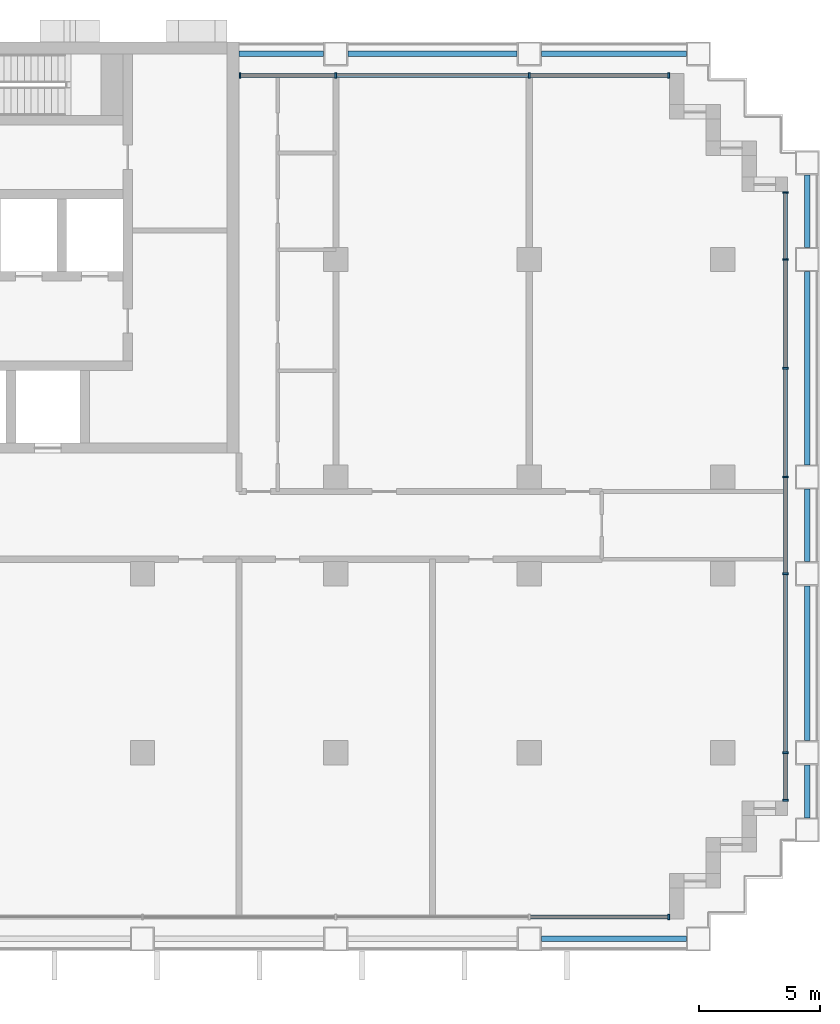
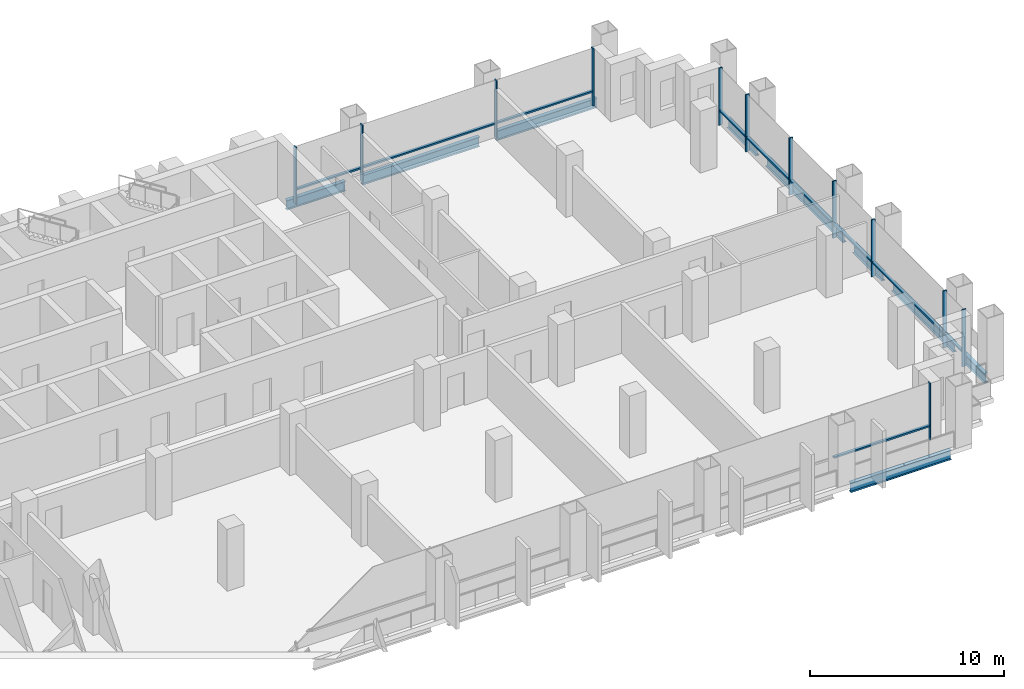
# One storey, part 5 of 13: 22 members, 9 beams, 3 elements without a shape of their own.
"""IFC4 building model written with IfcOpenShell, lengths in metres."""

from ifc_helpers import new_model, si_unit, direction, frame, origin, origin_2d, place, context, subcontext, project, spatial, rectangle, i_section, extrude, material, material_profile, profile_set, type_object, element, aggregate, save


model = new_model("IFC4")

# Units and contexts
model_context = context("Model", 3, precision=1e-05, world=origin(), true_north=direction((0.0, 1.0)))
body_context = subcontext(model_context, "Body", "Model", "MODEL_VIEW")
ifc_project = project(units=[si_unit("LENGTHUNIT", "METRE"), si_unit("AREAUNIT", "SQUARE_METRE"), si_unit("VOLUMEUNIT", "CUBIC_METRE"), si_unit("PLANEANGLEUNIT", "RADIAN"), si_unit("MASSUNIT", "GRAM", prefix="KILO")], contexts=[model_context])

# Site, building, storey
site_placement = place(None, origin())
site = spatial("IfcSite", under=ifc_project, at=site_placement, CompositionType="ELEMENT")
building_placement = place(site_placement, origin())
building = spatial("IfcBuilding", under=site, at=building_placement, Name="Vidyagriha Tower", CompositionType="ELEMENT")
storey_placement = place(building_placement, frame((0.0, 0.0, 29.89990234375)))
storey = spatial("IfcBuildingStorey", under=building, at=storey_placement, Name="L07", CompositionType="ELEMENT", Elevation=29.89990234375)

# Beams
ifc_material_1 = material(Name="Steel ASTM A992 Grade 50", Category="steel")
ifc_material_profile_1 = material_profile(ifc_material_1, i_section(OverallWidth=0.228271484375, OverallDepth=0.607177734375, WebThickness=0.01123046875, FlangeThickness=0.017333984375, at=origin_2d()), Name="W24X76")
ifc_profile_set_1 = profile_set([ifc_material_profile_1], Name="Steel ASTM A992 Grade 50")
beam_type = type_object("IfcBeamType", Name="Edge beam W24X76", PredefinedType="SPANDREL", material=ifc_profile_set_1)
beam_1_placement = place(storey_placement, frame((26.5, -17.10009765625, -0.603515625), z_axis=(1.0, 0.0, 0.0), x_axis=(0.0, 1.0, 0.0)))
element("IfcBeam", 1, at=beam_1_placement, inside=storey, type_object=beam_type, Name="st-beam-L07-S09", PredefinedType="SPANDREL", context=body_context, shape_type="SweptSolid", body=[
    extrude(i_section(OverallWidth=0.228271484375, OverallDepth=0.607177734375, WebThickness=0.01123046875, FlangeThickness=0.017333984375, at=origin_2d()), origin(), (0.0, 0.0, 1.0), 6.0),
])
beam_2_placement = place(storey_placement, frame((37.5, -12.10009765625, -0.603515625), z_axis=(0.0, 1.0, 0.0), x_axis=(-1.0, 0.0, 0.0)))
element("IfcBeam", 2, at=beam_2_placement, inside=storey, type_object=beam_type, Name="st-beam-L07-E15", PredefinedType="SPANDREL", context=body_context, shape_type="SweptSolid", body=[
    extrude(i_section(OverallWidth=0.228271484375, OverallDepth=0.607177734375, WebThickness=0.01123046875, FlangeThickness=0.017333984375, at=origin_2d()), origin(), (0.0, 0.0, 1.0), 2.2001953125),
])
beam_3_placement = place(storey_placement, frame((37.5, -8.89990234375, -0.603515625), z_axis=(0.0, 1.0, 0.0), x_axis=(-1.0, 0.0, 0.0)))
element("IfcBeam", 3, at=beam_3_placement, inside=storey, type_object=beam_type, Name="st-beam-L07-E16", PredefinedType="SPANDREL", context=body_context, shape_type="SweptSolid", body=[
    extrude(i_section(OverallWidth=0.228271484375, OverallDepth=0.607177734375, WebThickness=0.01123046875, FlangeThickness=0.017333984375, at=origin_2d()), origin(), (0.0, 0.0, 1.0), 6.39990234375),
])
beam_4_placement = place(storey_placement, frame((37.5, -1.5, -0.603515625), z_axis=(0.0, 1.0, 0.0), x_axis=(-1.0, 0.0, 0.0)))
element("IfcBeam", 4, at=beam_4_placement, inside=storey, type_object=beam_type, Name="st-beam-L07-E17", PredefinedType="SPANDREL", context=body_context, shape_type="SweptSolid", body=[
    extrude(i_section(OverallWidth=0.228271484375, OverallDepth=0.607177734375, WebThickness=0.01123046875, FlangeThickness=0.017333984375, at=origin_2d()), origin(), (0.0, 0.0, 1.0), 3.0),
])
beam_5_placement = place(storey_placement, frame((37.5, 2.5, -0.603515625), z_axis=(0.0, 1.0, 0.0), x_axis=(-1.0, 0.0, 0.0)))
element("IfcBeam", 5, at=beam_5_placement, inside=storey, type_object=beam_type, Name="st-beam-L07-E18", PredefinedType="SPANDREL", context=body_context, shape_type="SweptSolid", body=[
    extrude(i_section(OverallWidth=0.228271484375, OverallDepth=0.607177734375, WebThickness=0.01123046875, FlangeThickness=0.017333984375, at=origin_2d()), origin(), (0.0, 0.0, 1.0), 8.0),
])
beam_6_placement = place(storey_placement, frame((37.5, 11.5, -0.603515625), z_axis=(0.0, 1.0, 0.0), x_axis=(-1.0, 0.0, 0.0)))
element("IfcBeam", 6, at=beam_6_placement, inside=storey, type_object=beam_type, Name="st-beam-L07-E19", PredefinedType="SPANDREL", context=body_context, shape_type="SweptSolid", body=[
    extrude(i_section(OverallWidth=0.228271484375, OverallDepth=0.607177734375, WebThickness=0.01123046875, FlangeThickness=0.017333984375, at=origin_2d()), origin(), (0.0, 0.0, 1.0), 3.0),
])
beam_7_placement = place(storey_placement, frame((18.5, 19.5, -0.603515625), z_axis=(1.0, 0.0, 0.0), x_axis=(0.0, 1.0, 0.0)))
element("IfcBeam", 7, at=beam_7_placement, inside=storey, type_object=beam_type, Name="st-beam-L07-NE22", PredefinedType="SPANDREL", context=body_context, shape_type="SweptSolid", body=[
    extrude(i_section(OverallWidth=0.228271484375, OverallDepth=0.607177734375, WebThickness=0.01123046875, FlangeThickness=0.017333984375, at=origin_2d()), origin(), (0.0, 0.0, 1.0), 7.0),
])
beam_8_placement = place(storey_placement, frame((26.5, 19.5, -0.603515625), z_axis=(1.0, 0.0, 0.0), x_axis=(0.0, 1.0, 0.0)))
element("IfcBeam", 8, at=beam_8_placement, inside=storey, type_object=beam_type, Name="st-beam-L07-NE23", PredefinedType="SPANDREL", context=body_context, shape_type="SweptSolid", body=[
    extrude(i_section(OverallWidth=0.228271484375, OverallDepth=0.607177734375, WebThickness=0.01123046875, FlangeThickness=0.017333984375, at=origin_2d()), origin(), (0.0, 0.0, 1.0), 6.0),
])
beam_9_placement = place(storey_placement, frame((14.0, 19.5, -0.603515625), z_axis=(1.0, 0.0, 0.0), x_axis=(0.0, 1.0, 0.0)))
element("IfcBeam", 9, at=beam_9_placement, inside=storey, type_object=beam_type, Name="st-beam-L07-NC25", PredefinedType="SPANDREL", context=body_context, shape_type="SweptSolid", body=[
    extrude(i_section(OverallWidth=0.228271484375, OverallDepth=0.607177734375, WebThickness=0.01123046875, FlangeThickness=0.017333984375, at=origin_2d()), origin(), (0.0, 0.0, 1.0), 3.5),
])

# Curtain wall, members
ifc_material_2 = material(Name="Aluminium and glass curtain wall", Category="aluminium")
curtain_wall_type = type_object("IfcCurtainWallType", Name="Classroom skin unitised curtain wall", PredefinedType="USERDEFINED", material=ifc_material_2)
curtain_wall_1_placement = place(storey_placement, origin())
curtain_wall_1 = element("IfcCurtainWall", 10, at=curtain_wall_1_placement, inside=storey, type_object=curtain_wall_type, Name="CW2 classroom skin", ObjectType="UNITISED", PredefinedType="USERDEFINED")
ifc_material_3 = material(Name="Aluminium black anodised", Category="aluminium")
ifc_material_profile_2 = material_profile(ifc_material_3, rectangle(XDim=0.219970703125, YDim=0.070068359375, at=origin_2d()), Name="Mullion 70x220 black aluminium")
ifc_profile_set_2 = profile_set([ifc_material_profile_2], Name="Aluminium black anodised")
member_type_1 = type_object("IfcMemberType", Name="Mullion 70x220 black aluminium", PredefinedType="MULLION", material=ifc_profile_set_2)
member_1_placement = place(storey_placement, frame((31.764892578125, 18.60009765625, 0.0), z_axis=(0.0, 0.0, 1.0), x_axis=(0.0, -1.0, 0.0)))
member_1 = element("IfcMember", 11, at=member_1_placement, type_object=member_type_1, Name="CW2 mullion 1", PredefinedType="MULLION", context=body_context, shape_type="SweptSolid", body=[
    extrude(rectangle(XDim=0.219970703125, YDim=0.070068359375, at=origin_2d()), origin(), (0.0, 0.0, 1.0), 3.60009765625),
])
member_2_placement = place(storey_placement, frame((26.0, 18.60009765625, 0.0), z_axis=(0.0, 0.0, 1.0), x_axis=(0.0, -1.0, 0.0)))
member_2 = element("IfcMember", 12, at=member_2_placement, type_object=member_type_1, Name="CW2 mullion 2", PredefinedType="MULLION", context=body_context, shape_type="SweptSolid", body=[
    extrude(rectangle(XDim=0.219970703125, YDim=0.070068359375, at=origin_2d()), origin(), (0.0, 0.0, 1.0), 3.60009765625),
])
member_3_placement = place(storey_placement, frame((18.0, 18.60009765625, 0.0), z_axis=(0.0, 0.0, 1.0), x_axis=(0.0, -1.0, 0.0)))
member_3 = element("IfcMember", 13, at=member_3_placement, type_object=member_type_1, Name="CW2 mullion 3", PredefinedType="MULLION", context=body_context, shape_type="SweptSolid", body=[
    extrude(rectangle(XDim=0.219970703125, YDim=0.070068359375, at=origin_2d()), origin(), (0.0, 0.0, 1.0), 3.60009765625),
])
member_4_placement = place(storey_placement, frame((14.034912109375, 18.60009765625, 0.0), z_axis=(0.0, 0.0, 1.0), x_axis=(0.0, -1.0, 0.0)))
member_4 = element("IfcMember", 14, at=member_4_placement, type_object=member_type_1, Name="CW2 mullion 4", PredefinedType="MULLION", context=body_context, shape_type="SweptSolid", body=[
    extrude(rectangle(XDim=0.219970703125, YDim=0.070068359375, at=origin_2d()), origin(), (0.0, 0.0, 1.0), 3.60009765625),
])

# Curtain wall, member
curtain_wall_2_placement = place(storey_placement, origin())
curtain_wall_2 = element("IfcCurtainWall", 15, at=curtain_wall_2_placement, inside=storey, type_object=curtain_wall_type, Name="CW2 classroom skin", ObjectType="UNITISED", PredefinedType="USERDEFINED")
member_5_placement = place(storey_placement, frame((31.764892578125, -16.199951171875, 0.0), z_axis=(0.0, 0.0, 1.0), x_axis=(0.0, 1.0, 0.0)))
member_5 = element("IfcMember", 16, at=member_5_placement, type_object=member_type_1, Name="CW2 mullion 10", PredefinedType="MULLION", context=body_context, shape_type="SweptSolid", body=[
    extrude(rectangle(XDim=0.219970703125, YDim=0.070068359375, at=origin_2d()), origin(), (0.0, 0.0, 1.0), 3.60009765625),
])

# Curtain wall, members
curtain_wall_3_placement = place(storey_placement, origin())
curtain_wall_3 = element("IfcCurtainWall", 17, at=curtain_wall_3_placement, inside=storey, type_object=curtain_wall_type, Name="CW2 classroom skin", ObjectType="UNITISED", PredefinedType="USERDEFINED")
member_6_placement = place(storey_placement, frame((36.60009765625, -11.364990234375, 0.0), z_axis=(0.0, 0.0, 1.0), x_axis=(-1.0, 0.0, 0.0)))
member_6 = element("IfcMember", 18, at=member_6_placement, type_object=member_type_1, Name="CW2 mullion 1", PredefinedType="MULLION", context=body_context, shape_type="SweptSolid", body=[
    extrude(rectangle(XDim=0.219970703125, YDim=0.070068359375, at=origin_2d()), origin(), (0.0, 0.0, 1.0), 3.60009765625),
])
member_7_placement = place(storey_placement, frame((36.60009765625, -9.39990234375, 0.0), z_axis=(0.0, 0.0, 1.0), x_axis=(-1.0, 0.0, 0.0)))
member_7 = element("IfcMember", 19, at=member_7_placement, type_object=member_type_1, Name="CW2 mullion 2", PredefinedType="MULLION", context=body_context, shape_type="SweptSolid", body=[
    extrude(rectangle(XDim=0.219970703125, YDim=0.070068359375, at=origin_2d()), origin(), (0.0, 0.0, 1.0), 3.60009765625),
])
member_8_placement = place(storey_placement, frame((36.60009765625, -2.0, 0.0), z_axis=(0.0, 0.0, 1.0), x_axis=(-1.0, 0.0, 0.0)))
member_8 = element("IfcMember", 20, at=member_8_placement, type_object=member_type_1, Name="CW2 mullion 3", PredefinedType="MULLION", context=body_context, shape_type="SweptSolid", body=[
    extrude(rectangle(XDim=0.219970703125, YDim=0.070068359375, at=origin_2d()), origin(), (0.0, 0.0, 1.0), 3.60009765625),
])
member_9_placement = place(storey_placement, frame((36.60009765625, 2.0, 0.0), z_axis=(0.0, 0.0, 1.0), x_axis=(-1.0, 0.0, 0.0)))
member_9 = element("IfcMember", 21, at=member_9_placement, type_object=member_type_1, Name="CW2 mullion 4", PredefinedType="MULLION", context=body_context, shape_type="SweptSolid", body=[
    extrude(rectangle(XDim=0.219970703125, YDim=0.070068359375, at=origin_2d()), origin(), (0.0, 0.0, 1.0), 3.60009765625),
])
member_10_placement = place(storey_placement, frame((36.60009765625, 6.5, 0.0), z_axis=(0.0, 0.0, 1.0), x_axis=(-1.0, 0.0, 0.0)))
member_10 = element("IfcMember", 22, at=member_10_placement, type_object=member_type_1, Name="CW2 mullion 5", PredefinedType="MULLION", context=body_context, shape_type="SweptSolid", body=[
    extrude(rectangle(XDim=0.219970703125, YDim=0.070068359375, at=origin_2d()), origin(), (0.0, 0.0, 1.0), 3.60009765625),
])
member_11_placement = place(storey_placement, frame((36.60009765625, 11.0, 0.0), z_axis=(0.0, 0.0, 1.0), x_axis=(-1.0, 0.0, 0.0)))
member_11 = element("IfcMember", 23, at=member_11_placement, type_object=member_type_1, Name="CW2 mullion 6", PredefinedType="MULLION", context=body_context, shape_type="SweptSolid", body=[
    extrude(rectangle(XDim=0.219970703125, YDim=0.070068359375, at=origin_2d()), origin(), (0.0, 0.0, 1.0), 3.60009765625),
])
member_12_placement = place(storey_placement, frame((36.60009765625, 13.764892578125, 0.0), z_axis=(0.0, 0.0, 1.0), x_axis=(-1.0, 0.0, 0.0)))
member_12 = element("IfcMember", 24, at=member_12_placement, type_object=member_type_1, Name="CW2 mullion 7", PredefinedType="MULLION", context=body_context, shape_type="SweptSolid", body=[
    extrude(rectangle(XDim=0.219970703125, YDim=0.070068359375, at=origin_2d()), origin(), (0.0, 0.0, 1.0), 3.60009765625),
])

# Member
ifc_material_4 = material(Name="Aluminium black anodised", Category="aluminium")
ifc_material_profile_3 = material_profile(ifc_material_4, rectangle(XDim=0.159912109375, YDim=0.10009765625, at=origin_2d()), Name="Transom 100x160 black aluminium")
ifc_profile_set_3 = profile_set([ifc_material_profile_3], Name="Aluminium black anodised")
member_type_2 = type_object("IfcMemberType", Name="Transom 100x160 black aluminium", PredefinedType="USERDEFINED", material=ifc_profile_set_3)
member_13_placement = place(storey_placement, frame((31.72998046875, 18.60009765625, 0.900146484375), z_axis=(-1.0, 0.0, 0.0), x_axis=(0.0, -1.0, 0.0)))
member_13 = element("IfcMember", 25, at=member_13_placement, type_object=member_type_2, Name="CW2 transom 1.1", ObjectType="TRANSOM", PredefinedType="USERDEFINED", context=body_context, shape_type="SweptSolid", body=[
    extrude(rectangle(XDim=0.159912109375, YDim=0.10009765625, at=origin_2d()), origin(), (0.0, 0.0, 1.0), 5.695068359375),
])

member_14_placement = place(storey_placement, frame((25.965087890625, 18.60009765625, 0.900146484375), z_axis=(-1.0, 0.0, 0.0), x_axis=(0.0, -1.0, 0.0)))
member_14 = element("IfcMember", 26, at=member_14_placement, type_object=member_type_2, Name="CW2 transom 2.1", ObjectType="TRANSOM", PredefinedType="USERDEFINED", context=body_context, shape_type="SweptSolid", body=[
    extrude(rectangle(XDim=0.159912109375, YDim=0.10009765625, at=origin_2d()), origin(), (0.0, 0.0, 1.0), 7.93017578125),
])

member_15_placement = place(storey_placement, frame((17.965087890625, 18.60009765625, 0.900146484375), z_axis=(-1.0, 0.0, 0.0), x_axis=(0.0, -1.0, 0.0)))
member_15 = element("IfcMember", 27, at=member_15_placement, type_object=member_type_2, Name="CW2 transom 3.1", ObjectType="TRANSOM", PredefinedType="USERDEFINED", context=body_context, shape_type="SweptSolid", body=[
    extrude(rectangle(XDim=0.159912109375, YDim=0.10009765625, at=origin_2d()), origin(), (0.0, 0.0, 1.0), 3.89501953125),
])

aggregate(curtain_wall_1, [member_1, member_2, member_3, member_4, member_13, member_14, member_15])

member_16_placement = place(storey_placement, frame((26.034912109375, -16.199951171875, 0.900146484375), z_axis=(1.0, 0.0, 0.0), x_axis=(0.0, 1.0, 0.0)))
member_16 = element("IfcMember", 28, at=member_16_placement, type_object=member_type_2, Name="CW2 transom 9.1", ObjectType="TRANSOM", PredefinedType="USERDEFINED", context=body_context, shape_type="SweptSolid", body=[
    extrude(rectangle(XDim=0.159912109375, YDim=0.10009765625, at=origin_2d()), origin(), (0.0, 0.0, 1.0), 5.695068359375),
])

aggregate(curtain_wall_2, [member_5, member_16])

member_17_placement = place(storey_placement, frame((36.60009765625, -11.330078125, 0.900146484375), z_axis=(0.0, 1.0, 0.0), x_axis=(-1.0, 0.0, 0.0)))
member_17 = element("IfcMember", 29, at=member_17_placement, type_object=member_type_2, Name="CW2 transom 1.1", ObjectType="TRANSOM", PredefinedType="USERDEFINED", context=body_context, shape_type="SweptSolid", body=[
    extrude(rectangle(XDim=0.159912109375, YDim=0.10009765625, at=origin_2d()), origin(), (0.0, 0.0, 1.0), 1.89501953125),
])

member_18_placement = place(storey_placement, frame((36.60009765625, -9.364990234375, 0.900146484375), z_axis=(0.0, 1.0, 0.0), x_axis=(-1.0, 0.0, 0.0)))
member_18 = element("IfcMember", 30, at=member_18_placement, type_object=member_type_2, Name="CW2 transom 2.1", ObjectType="TRANSOM", PredefinedType="USERDEFINED", context=body_context, shape_type="SweptSolid", body=[
    extrude(rectangle(XDim=0.159912109375, YDim=0.10009765625, at=origin_2d()), origin(), (0.0, 0.0, 1.0), 7.330078125),
])

member_19_placement = place(storey_placement, frame((36.60009765625, -1.965087890625, 0.900146484375), z_axis=(0.0, 1.0, 0.0), x_axis=(-1.0, 0.0, 0.0)))
member_19 = element("IfcMember", 31, at=member_19_placement, type_object=member_type_2, Name="CW2 transom 3.1", ObjectType="TRANSOM", PredefinedType="USERDEFINED", context=body_context, shape_type="SweptSolid", body=[
    extrude(rectangle(XDim=0.159912109375, YDim=0.10009765625, at=origin_2d()), origin(), (0.0, 0.0, 1.0), 3.93017578125),
])

member_20_placement = place(storey_placement, frame((36.60009765625, 2.034912109375, 0.900146484375), z_axis=(0.0, 1.0, 0.0), x_axis=(-1.0, 0.0, 0.0)))
member_20 = element("IfcMember", 32, at=member_20_placement, type_object=member_type_2, Name="CW2 transom 4.1", ObjectType="TRANSOM", PredefinedType="USERDEFINED", context=body_context, shape_type="SweptSolid", body=[
    extrude(rectangle(XDim=0.159912109375, YDim=0.10009765625, at=origin_2d()), origin(), (0.0, 0.0, 1.0), 4.43017578125),
])

member_21_placement = place(storey_placement, frame((36.60009765625, 6.534912109375, 0.900146484375), z_axis=(0.0, 1.0, 0.0), x_axis=(-1.0, 0.0, 0.0)))
member_21 = element("IfcMember", 33, at=member_21_placement, type_object=member_type_2, Name="CW2 transom 5.1", ObjectType="TRANSOM", PredefinedType="USERDEFINED", context=body_context, shape_type="SweptSolid", body=[
    extrude(rectangle(XDim=0.159912109375, YDim=0.10009765625, at=origin_2d()), origin(), (0.0, 0.0, 1.0), 4.43017578125),
])

member_22_placement = place(storey_placement, frame((36.60009765625, 11.034912109375, 0.900146484375), z_axis=(0.0, 1.0, 0.0), x_axis=(-1.0, 0.0, 0.0)))
member_22 = element("IfcMember", 34, at=member_22_placement, type_object=member_type_2, Name="CW2 transom 6.1", ObjectType="TRANSOM", PredefinedType="USERDEFINED", context=body_context, shape_type="SweptSolid", body=[
    extrude(rectangle(XDim=0.159912109375, YDim=0.10009765625, at=origin_2d()), origin(), (0.0, 0.0, 1.0), 2.695068359375),
])

aggregate(curtain_wall_3, [member_6, member_7, member_8, member_9, member_10, member_11, member_12, member_17, member_18, member_19, member_20, member_21, member_22])

save(model, "model.ifc")
